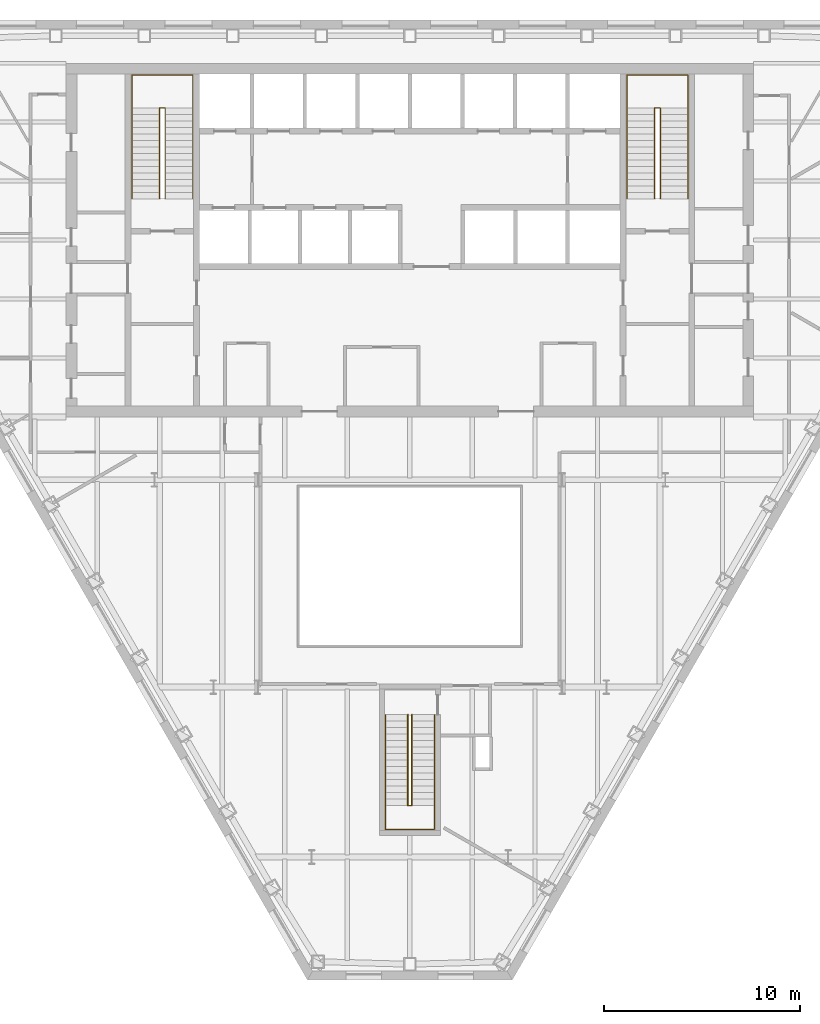
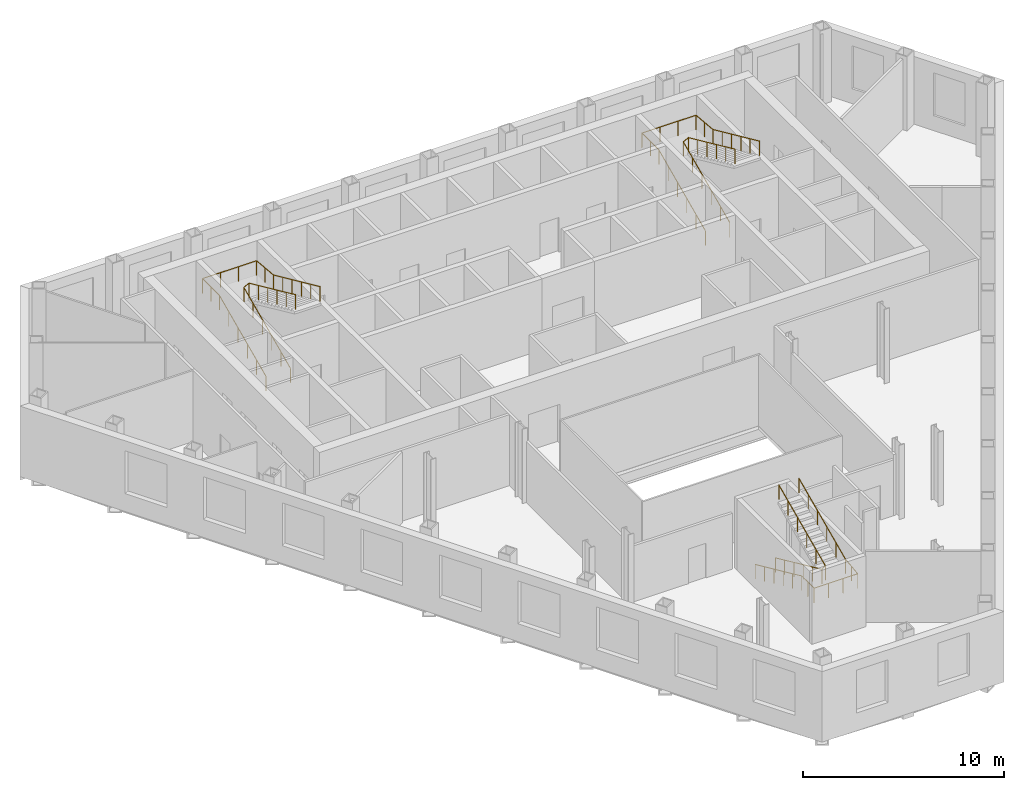
# One storey, part 11 of 11: 6 railings.
"""IFC4 building model written with IfcOpenShell, lengths in metres."""

from ifc_helpers import new_model, si_unit, direction, frame, origin, origin_2d, place, context, subcontext, project, spatial, circle, extrude, material, type_object, element, save


model = new_model("IFC4")

# Units and contexts
model_context = context("Model", 3, precision=1e-05, world=origin(), true_north=direction((0.0, 1.0)))
body_context = subcontext(model_context, "Body", "Model", "MODEL_VIEW")
ifc_project = project(units=[si_unit("LENGTHUNIT", "METRE"), si_unit("AREAUNIT", "SQUARE_METRE"), si_unit("VOLUMEUNIT", "CUBIC_METRE"), si_unit("PLANEANGLEUNIT", "RADIAN"), si_unit("MASSUNIT", "GRAM", prefix="KILO")], contexts=[model_context])

# Site, building, storey
site_placement = place(None, origin())
site = spatial("IfcSite", under=ifc_project, at=site_placement, CompositionType="ELEMENT")
building_placement = place(site_placement, origin())
building = spatial("IfcBuilding", under=site, at=building_placement, Name="Njiva Tower", CompositionType="ELEMENT")
storey_placement = place(building_placement, frame((0.0, 0.0, 84.3)))
storey = spatial("IfcBuildingStorey", under=building, at=storey_placement, Name="L17", CompositionType="ELEMENT", Elevation=84.3)

# Railings
ifc_material = material(Name="Stainless steel", Category="steel")
railing_type = type_object("IfcRailingType", Name="RL1 Stair handrail 900", PredefinedType="HANDRAIL", material=ifc_material)
railing_1_placement = place(storey_placement, frame((-14.15, 11.1, 0.15)))
element("IfcRailing", 1, at=railing_1_placement, inside=storey, type_object=railing_type, Name="Stair A handrail", PredefinedType="HANDRAIL", context=body_context, shape_type="SweptSolid", body=[
    extrude(circle(Radius=0.024, at=origin_2d()), frame((0.0, 0.0, 0.876), z_axis=(0.0, 0.910366477463, 0.413802944301), x_axis=(-1.0, 0.0, 0.0)), (0.0, 0.0, 1.0), 5.0749),
    extrude(circle(Radius=0.024, at=origin_2d()), frame((0.0, 4.62, 2.976), z_axis=(0.0, 1.0, 0.0), x_axis=(-1.0, 0.0, 0.0)), (0.0, 0.0, 1.0), 1.68),
    extrude(circle(Radius=0.024, at=origin_2d()), frame((0.0, 6.3, 2.976), z_axis=(1.0, 0.0, 0.0), x_axis=(0.0, 1.0, 0.0)), (0.0, 0.0, 1.0), 3.1),
    extrude(circle(Radius=0.024, at=origin_2d()), frame((3.1, 6.3, 2.976), z_axis=(0.0, -0.996037705314, 0.088931937975), x_axis=(1.0, 0.0, 0.0)), (0.0, 0.0, 1.0), 1.6867),
    extrude(circle(Radius=0.024, at=origin_2d()), frame((3.1, 4.62, 3.126), z_axis=(0.0, -0.910366477463, 0.413802944301), x_axis=(1.0, 0.0, 0.0)), (0.0, 0.0, 1.0), 5.0749),
    extrude(circle(Radius=0.021, at=origin_2d()), origin(), (0.0, 0.0, 1.0), 0.852),
    extrude(circle(Radius=0.021, at=origin_2d()), frame((0.0, 0.924, 0.42)), (0.0, 0.0, 1.0), 0.852),
    extrude(circle(Radius=0.021, at=origin_2d()), frame((0.0, 1.848, 0.84)), (0.0, 0.0, 1.0), 0.852),
    extrude(circle(Radius=0.021, at=origin_2d()), frame((0.0, 2.772, 1.26)), (0.0, 0.0, 1.0), 0.852),
    extrude(circle(Radius=0.021, at=origin_2d()), frame((0.0, 3.696, 1.68)), (0.0, 0.0, 1.0), 0.852),
    extrude(circle(Radius=0.021, at=origin_2d()), frame((0.0, 4.62, 2.1)), (0.0, 0.0, 1.0), 0.852),
    extrude(circle(Radius=0.021, at=origin_2d()), frame((0.0, 5.46, 2.1)), (0.0, 0.0, 1.0), 0.852),
    extrude(circle(Radius=0.021, at=origin_2d()), frame((0.0, 6.3, 2.1)), (0.0, 0.0, 1.0), 0.852),
    extrude(circle(Radius=0.021, at=origin_2d()), frame((1.0333, 6.3, 2.1)), (0.0, 0.0, 1.0), 0.852),
    extrude(circle(Radius=0.021, at=origin_2d()), frame((2.0667, 6.3, 2.1)), (0.0, 0.0, 1.0), 0.852),
    extrude(circle(Radius=0.021, at=origin_2d()), frame((3.1, 6.3, 2.1)), (0.0, 0.0, 1.0), 0.852),
    extrude(circle(Radius=0.021, at=origin_2d()), frame((3.1, 5.46, 2.175)), (0.0, 0.0, 1.0), 0.852),
    extrude(circle(Radius=0.021, at=origin_2d()), frame((3.1, 4.62, 2.25)), (0.0, 0.0, 1.0), 0.852),
    extrude(circle(Radius=0.021, at=origin_2d()), frame((3.1, 3.696, 2.67)), (0.0, 0.0, 1.0), 0.852),
    extrude(circle(Radius=0.021, at=origin_2d()), frame((3.1, 2.772, 3.09)), (0.0, 0.0, 1.0), 0.852),
    extrude(circle(Radius=0.021, at=origin_2d()), frame((3.1, 1.848, 3.51)), (0.0, 0.0, 1.0), 0.852),
    extrude(circle(Radius=0.021, at=origin_2d()), frame((3.1, 0.924, 3.93)), (0.0, 0.0, 1.0), 0.852),
    extrude(circle(Radius=0.021, at=origin_2d()), frame((3.1, 0.0, 4.35)), (0.0, 0.0, 1.0), 0.852),
])
railing_2_placement = place(storey_placement, frame((-12.75, 11.1, 0.15)))
element("IfcRailing", 2, at=railing_2_placement, inside=storey, type_object=railing_type, Name="Stair A handrail", PredefinedType="HANDRAIL", context=body_context, shape_type="SweptSolid", body=[
    extrude(circle(Radius=0.024, at=origin_2d()), frame((0.0, 0.0, 0.876), z_axis=(0.0, 0.910366477463, 0.413802944301), x_axis=(-1.0, 0.0, 0.0)), (0.0, 0.0, 1.0), 5.0749),
    extrude(circle(Radius=0.024, at=origin_2d()), frame((0.0, 4.62, 2.976), z_axis=(0.894427191, 0.0, 0.4472135955), x_axis=(0.0, 1.0, 0.0)), (0.0, 0.0, 1.0), 0.3354),
    extrude(circle(Radius=0.024, at=origin_2d()), frame((0.3, 4.62, 3.126), z_axis=(0.0, -0.910366477463, 0.413802944301), x_axis=(1.0, 0.0, 0.0)), (0.0, 0.0, 1.0), 5.0749),
    extrude(circle(Radius=0.021, at=origin_2d()), origin(), (0.0, 0.0, 1.0), 0.852),
    extrude(circle(Radius=0.021, at=origin_2d()), frame((0.0, 0.924, 0.42)), (0.0, 0.0, 1.0), 0.852),
    extrude(circle(Radius=0.021, at=origin_2d()), frame((0.0, 1.848, 0.84)), (0.0, 0.0, 1.0), 0.852),
    extrude(circle(Radius=0.021, at=origin_2d()), frame((0.0, 2.772, 1.26)), (0.0, 0.0, 1.0), 0.852),
    extrude(circle(Radius=0.021, at=origin_2d()), frame((0.0, 3.696, 1.68)), (0.0, 0.0, 1.0), 0.852),
    extrude(circle(Radius=0.021, at=origin_2d()), frame((0.0, 4.62, 2.1)), (0.0, 0.0, 1.0), 0.852),
    extrude(circle(Radius=0.021, at=origin_2d()), frame((0.3, 4.62, 2.25)), (0.0, 0.0, 1.0), 0.852),
    extrude(circle(Radius=0.021, at=origin_2d()), frame((0.3, 3.696, 2.67)), (0.0, 0.0, 1.0), 0.852),
    extrude(circle(Radius=0.021, at=origin_2d()), frame((0.3, 2.772, 3.09)), (0.0, 0.0, 1.0), 0.852),
    extrude(circle(Radius=0.021, at=origin_2d()), frame((0.3, 1.848, 3.51)), (0.0, 0.0, 1.0), 0.852),
    extrude(circle(Radius=0.021, at=origin_2d()), frame((0.3, 0.924, 3.93)), (0.0, 0.0, 1.0), 0.852),
    extrude(circle(Radius=0.021, at=origin_2d()), frame((0.3, 0.0, 4.35)), (0.0, 0.0, 1.0), 0.852),
])
railing_3_placement = place(storey_placement, frame((11.05, 11.1, 0.15)))
element("IfcRailing", 3, at=railing_3_placement, inside=storey, type_object=railing_type, Name="Stair B handrail", PredefinedType="HANDRAIL", context=body_context, shape_type="SweptSolid", body=[
    extrude(circle(Radius=0.024, at=origin_2d()), frame((0.0, 0.0, 0.876), z_axis=(0.0, 0.910366477463, 0.413802944301), x_axis=(-1.0, 0.0, 0.0)), (0.0, 0.0, 1.0), 5.0749),
    extrude(circle(Radius=0.024, at=origin_2d()), frame((0.0, 4.62, 2.976), z_axis=(0.0, 1.0, 0.0), x_axis=(-1.0, 0.0, 0.0)), (0.0, 0.0, 1.0), 1.68),
    extrude(circle(Radius=0.024, at=origin_2d()), frame((0.0, 6.3, 2.976), z_axis=(1.0, 0.0, 0.0), x_axis=(0.0, 1.0, 0.0)), (0.0, 0.0, 1.0), 3.1),
    extrude(circle(Radius=0.024, at=origin_2d()), frame((3.1, 6.3, 2.976), z_axis=(0.0, -0.996037705314, 0.088931937975), x_axis=(1.0, 0.0, 0.0)), (0.0, 0.0, 1.0), 1.6867),
    extrude(circle(Radius=0.024, at=origin_2d()), frame((3.1, 4.62, 3.126), z_axis=(0.0, -0.910366477463, 0.413802944301), x_axis=(1.0, 0.0, 0.0)), (0.0, 0.0, 1.0), 5.0749),
    extrude(circle(Radius=0.021, at=origin_2d()), origin(), (0.0, 0.0, 1.0), 0.852),
    extrude(circle(Radius=0.021, at=origin_2d()), frame((0.0, 0.924, 0.42)), (0.0, 0.0, 1.0), 0.852),
    extrude(circle(Radius=0.021, at=origin_2d()), frame((0.0, 1.848, 0.84)), (0.0, 0.0, 1.0), 0.852),
    extrude(circle(Radius=0.021, at=origin_2d()), frame((0.0, 2.772, 1.26)), (0.0, 0.0, 1.0), 0.852),
    extrude(circle(Radius=0.021, at=origin_2d()), frame((0.0, 3.696, 1.68)), (0.0, 0.0, 1.0), 0.852),
    extrude(circle(Radius=0.021, at=origin_2d()), frame((0.0, 4.62, 2.1)), (0.0, 0.0, 1.0), 0.852),
    extrude(circle(Radius=0.021, at=origin_2d()), frame((0.0, 5.46, 2.1)), (0.0, 0.0, 1.0), 0.852),
    extrude(circle(Radius=0.021, at=origin_2d()), frame((0.0, 6.3, 2.1)), (0.0, 0.0, 1.0), 0.852),
    extrude(circle(Radius=0.021, at=origin_2d()), frame((1.0333, 6.3, 2.1)), (0.0, 0.0, 1.0), 0.852),
    extrude(circle(Radius=0.021, at=origin_2d()), frame((2.0667, 6.3, 2.1)), (0.0, 0.0, 1.0), 0.852),
    extrude(circle(Radius=0.021, at=origin_2d()), frame((3.1, 6.3, 2.1)), (0.0, 0.0, 1.0), 0.852),
    extrude(circle(Radius=0.021, at=origin_2d()), frame((3.1, 5.46, 2.175)), (0.0, 0.0, 1.0), 0.852),
    extrude(circle(Radius=0.021, at=origin_2d()), frame((3.1, 4.62, 2.25)), (0.0, 0.0, 1.0), 0.852),
    extrude(circle(Radius=0.021, at=origin_2d()), frame((3.1, 3.696, 2.67)), (0.0, 0.0, 1.0), 0.852),
    extrude(circle(Radius=0.021, at=origin_2d()), frame((3.1, 2.772, 3.09)), (0.0, 0.0, 1.0), 0.852),
    extrude(circle(Radius=0.021, at=origin_2d()), frame((3.1, 1.848, 3.51)), (0.0, 0.0, 1.0), 0.852),
    extrude(circle(Radius=0.021, at=origin_2d()), frame((3.1, 0.924, 3.93)), (0.0, 0.0, 1.0), 0.852),
    extrude(circle(Radius=0.021, at=origin_2d()), frame((3.1, 0.0, 4.35)), (0.0, 0.0, 1.0), 0.852),
])
railing_4_placement = place(storey_placement, frame((12.45, 11.1, 0.15)))
element("IfcRailing", 4, at=railing_4_placement, inside=storey, type_object=railing_type, Name="Stair B handrail", PredefinedType="HANDRAIL", context=body_context, shape_type="SweptSolid", body=[
    extrude(circle(Radius=0.024, at=origin_2d()), frame((0.0, 0.0, 0.876), z_axis=(0.0, 0.910366477463, 0.413802944301), x_axis=(-1.0, 0.0, 0.0)), (0.0, 0.0, 1.0), 5.0749),
    extrude(circle(Radius=0.024, at=origin_2d()), frame((0.0, 4.62, 2.976), z_axis=(0.894427191, 0.0, 0.4472135955), x_axis=(0.0, 1.0, 0.0)), (0.0, 0.0, 1.0), 0.3354),
    extrude(circle(Radius=0.024, at=origin_2d()), frame((0.3, 4.62, 3.126), z_axis=(0.0, -0.910366477463, 0.413802944301), x_axis=(1.0, 0.0, 0.0)), (0.0, 0.0, 1.0), 5.0749),
    extrude(circle(Radius=0.021, at=origin_2d()), origin(), (0.0, 0.0, 1.0), 0.852),
    extrude(circle(Radius=0.021, at=origin_2d()), frame((0.0, 0.924, 0.42)), (0.0, 0.0, 1.0), 0.852),
    extrude(circle(Radius=0.021, at=origin_2d()), frame((0.0, 1.848, 0.84)), (0.0, 0.0, 1.0), 0.852),
    extrude(circle(Radius=0.021, at=origin_2d()), frame((0.0, 2.772, 1.26)), (0.0, 0.0, 1.0), 0.852),
    extrude(circle(Radius=0.021, at=origin_2d()), frame((0.0, 3.696, 1.68)), (0.0, 0.0, 1.0), 0.852),
    extrude(circle(Radius=0.021, at=origin_2d()), frame((0.0, 4.62, 2.1)), (0.0, 0.0, 1.0), 0.852),
    extrude(circle(Radius=0.021, at=origin_2d()), frame((0.3, 4.62, 2.25)), (0.0, 0.0, 1.0), 0.852),
    extrude(circle(Radius=0.021, at=origin_2d()), frame((0.3, 3.696, 2.67)), (0.0, 0.0, 1.0), 0.852),
    extrude(circle(Radius=0.021, at=origin_2d()), frame((0.3, 2.772, 3.09)), (0.0, 0.0, 1.0), 0.852),
    extrude(circle(Radius=0.021, at=origin_2d()), frame((0.3, 1.848, 3.51)), (0.0, 0.0, 1.0), 0.852),
    extrude(circle(Radius=0.021, at=origin_2d()), frame((0.3, 0.924, 3.93)), (0.0, 0.0, 1.0), 0.852),
    extrude(circle(Radius=0.021, at=origin_2d()), frame((0.3, 0.0, 4.35)), (0.0, 0.0, 1.0), 0.852),
])
railing_5_placement = place(storey_placement, frame((-1.25, -15.16, 0.15)))
element("IfcRailing", 5, at=railing_5_placement, inside=storey, type_object=railing_type, Name="Stair C handrail", PredefinedType="HANDRAIL", context=body_context, shape_type="SweptSolid", body=[
    extrude(circle(Radius=0.024, at=origin_2d()), frame((0.0, 0.0, 0.876), z_axis=(0.0, -0.910366477463, 0.413802944301), x_axis=(1.0, 0.0, 0.0)), (0.0, 0.0, 1.0), 5.0749),
    extrude(circle(Radius=0.024, at=origin_2d()), frame((0.0, -4.62, 2.976), z_axis=(0.0, -1.0, 0.0), x_axis=(1.0, 0.0, 0.0)), (0.0, 0.0, 1.0), 1.22),
    extrude(circle(Radius=0.024, at=origin_2d()), frame((0.0, -5.84, 2.976), z_axis=(1.0, 0.0, 0.0), x_axis=(0.0, 1.0, 0.0)), (0.0, 0.0, 1.0), 2.5),
    extrude(circle(Radius=0.024, at=origin_2d()), frame((2.5, -5.84, 2.976), z_axis=(0.0, 0.992526177815, 0.122031907108), x_axis=(-1.0, 0.0, 0.0)), (0.0, 0.0, 1.0), 1.2292),
    extrude(circle(Radius=0.024, at=origin_2d()), frame((2.5, -4.62, 3.126), z_axis=(0.0, 0.910366477463, 0.413802944301), x_axis=(-1.0, 0.0, 0.0)), (0.0, 0.0, 1.0), 5.0749),
    extrude(circle(Radius=0.021, at=origin_2d()), origin(), (0.0, 0.0, 1.0), 0.852),
    extrude(circle(Radius=0.021, at=origin_2d()), frame((0.0, -0.924, 0.42)), (0.0, 0.0, 1.0), 0.852),
    extrude(circle(Radius=0.021, at=origin_2d()), frame((0.0, -1.848, 0.84)), (0.0, 0.0, 1.0), 0.852),
    extrude(circle(Radius=0.021, at=origin_2d()), frame((0.0, -2.772, 1.26)), (0.0, 0.0, 1.0), 0.852),
    extrude(circle(Radius=0.021, at=origin_2d()), frame((0.0, -3.696, 1.68)), (0.0, 0.0, 1.0), 0.852),
    extrude(circle(Radius=0.021, at=origin_2d()), frame((0.0, -4.62, 2.1)), (0.0, 0.0, 1.0), 0.852),
    extrude(circle(Radius=0.021, at=origin_2d()), frame((0.0, -5.23, 2.1)), (0.0, 0.0, 1.0), 0.852),
    extrude(circle(Radius=0.021, at=origin_2d()), frame((0.0, -5.84, 2.1)), (0.0, 0.0, 1.0), 0.852),
    extrude(circle(Radius=0.021, at=origin_2d()), frame((0.8333, -5.84, 2.1)), (0.0, 0.0, 1.0), 0.852),
    extrude(circle(Radius=0.021, at=origin_2d()), frame((1.6667, -5.84, 2.1)), (0.0, 0.0, 1.0), 0.852),
    extrude(circle(Radius=0.021, at=origin_2d()), frame((2.5, -5.84, 2.1)), (0.0, 0.0, 1.0), 0.852),
    extrude(circle(Radius=0.021, at=origin_2d()), frame((2.5, -5.23, 2.175)), (0.0, 0.0, 1.0), 0.852),
    extrude(circle(Radius=0.021, at=origin_2d()), frame((2.5, -4.62, 2.25)), (0.0, 0.0, 1.0), 0.852),
    extrude(circle(Radius=0.021, at=origin_2d()), frame((2.5, -3.696, 2.67)), (0.0, 0.0, 1.0), 0.852),
    extrude(circle(Radius=0.021, at=origin_2d()), frame((2.5, -2.772, 3.09)), (0.0, 0.0, 1.0), 0.852),
    extrude(circle(Radius=0.021, at=origin_2d()), frame((2.5, -1.848, 3.51)), (0.0, 0.0, 1.0), 0.852),
    extrude(circle(Radius=0.021, at=origin_2d()), frame((2.5, -0.924, 3.93)), (0.0, 0.0, 1.0), 0.852),
    extrude(circle(Radius=0.021, at=origin_2d()), frame((2.5, 0.0, 4.35)), (0.0, 0.0, 1.0), 0.852),
])
railing_6_placement = place(storey_placement, frame((-0.1, -15.16, 0.15)))
element("IfcRailing", 6, at=railing_6_placement, inside=storey, type_object=railing_type, Name="Stair C handrail", PredefinedType="HANDRAIL", context=body_context, shape_type="SweptSolid", body=[
    extrude(circle(Radius=0.024, at=origin_2d()), frame((0.0, 0.0, 0.876), z_axis=(0.0, -0.910366477463, 0.413802944301), x_axis=(1.0, 0.0, 0.0)), (0.0, 0.0, 1.0), 5.0749),
    extrude(circle(Radius=0.024, at=origin_2d()), frame((0.0, -4.62, 2.976), z_axis=(0.8, 0.0, 0.6), x_axis=(0.0, 1.0, 0.0)), (0.0, 0.0, 1.0), 0.25),
    extrude(circle(Radius=0.024, at=origin_2d()), frame((0.2, -4.62, 3.126), z_axis=(0.0, 0.910366477463, 0.413802944301), x_axis=(-1.0, 0.0, 0.0)), (0.0, 0.0, 1.0), 5.0749),
    extrude(circle(Radius=0.021, at=origin_2d()), origin(), (0.0, 0.0, 1.0), 0.852),
    extrude(circle(Radius=0.021, at=origin_2d()), frame((0.0, -0.924, 0.42)), (0.0, 0.0, 1.0), 0.852),
    extrude(circle(Radius=0.021, at=origin_2d()), frame((0.0, -1.848, 0.84)), (0.0, 0.0, 1.0), 0.852),
    extrude(circle(Radius=0.021, at=origin_2d()), frame((0.0, -2.772, 1.26)), (0.0, 0.0, 1.0), 0.852),
    extrude(circle(Radius=0.021, at=origin_2d()), frame((0.0, -3.696, 1.68)), (0.0, 0.0, 1.0), 0.852),
    extrude(circle(Radius=0.021, at=origin_2d()), frame((0.0, -4.62, 2.1)), (0.0, 0.0, 1.0), 0.852),
    extrude(circle(Radius=0.021, at=origin_2d()), frame((0.2, -4.62, 2.25)), (0.0, 0.0, 1.0), 0.852),
    extrude(circle(Radius=0.021, at=origin_2d()), frame((0.2, -3.696, 2.67)), (0.0, 0.0, 1.0), 0.852),
    extrude(circle(Radius=0.021, at=origin_2d()), frame((0.2, -2.772, 3.09)), (0.0, 0.0, 1.0), 0.852),
    extrude(circle(Radius=0.021, at=origin_2d()), frame((0.2, -1.848, 3.51)), (0.0, 0.0, 1.0), 0.852),
    extrude(circle(Radius=0.021, at=origin_2d()), frame((0.2, -0.924, 3.93)), (0.0, 0.0, 1.0), 0.852),
    extrude(circle(Radius=0.021, at=origin_2d()), frame((0.2, 0.0, 4.35)), (0.0, 0.0, 1.0), 0.852),
])

save(model, "model.ifc")
